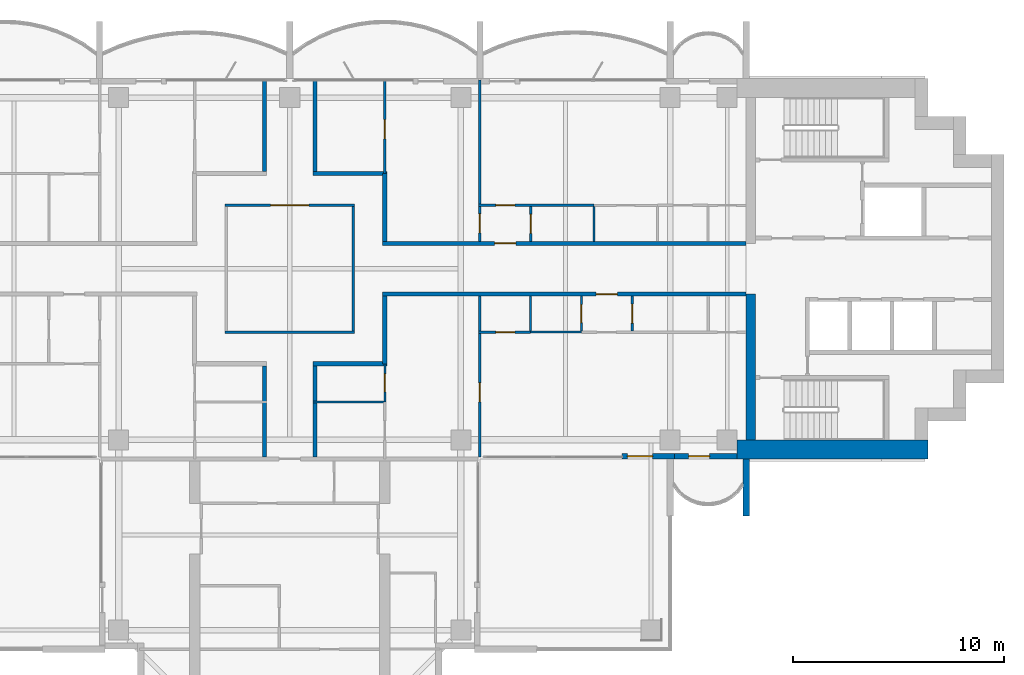
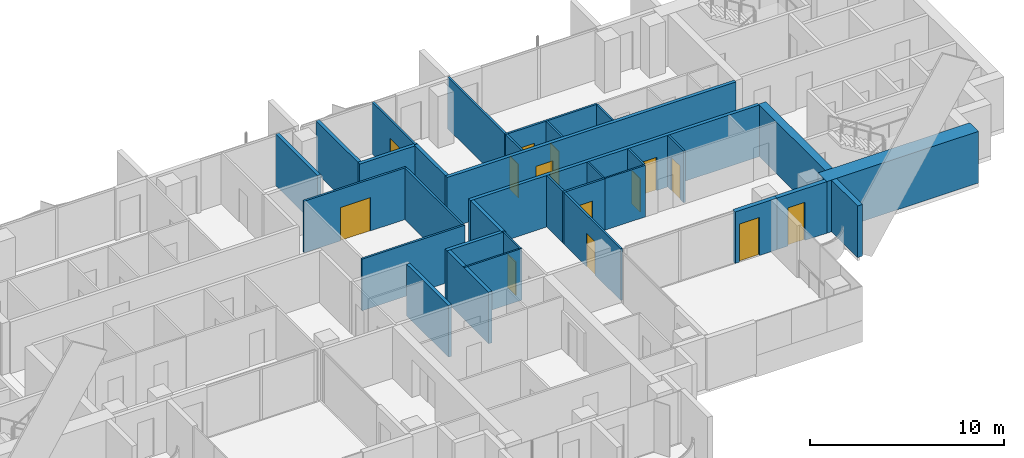
# One storey, part 11 of 17: 31 walls, 14 doors, 14 openings.
"""IFC4 building model written with IfcOpenShell, lengths in metres."""

from ifc_helpers import new_model, si_unit, direction, frame, frame_2d, origin, place, context, subcontext, project, spatial, rectangle, extrude, material, layer, layer_set, type_object, element, fill, save


model = new_model("IFC4")

# Units and contexts
model_context = context("Model", 3, precision=1e-05, world=origin(), true_north=direction((0.0, 1.0)))
body_context = subcontext(model_context, "Body", "Model", "MODEL_VIEW")
ifc_project = project(units=[si_unit("LENGTHUNIT", "METRE"), si_unit("AREAUNIT", "SQUARE_METRE"), si_unit("VOLUMEUNIT", "CUBIC_METRE"), si_unit("PLANEANGLEUNIT", "RADIAN"), si_unit("MASSUNIT", "GRAM", prefix="KILO")], contexts=[model_context])

# Site, building, storey
site_placement = place(None, origin())
site = spatial("IfcSite", under=ifc_project, at=site_placement, CompositionType="ELEMENT")
building_placement = place(site_placement, origin())
building = spatial("IfcBuilding", under=site, at=building_placement, Name="Perihelion Cross Residences", CompositionType="ELEMENT")
storey_placement = place(building_placement, frame((0.0, 0.0, 187.60009765625)))
storey = spatial("IfcBuildingStorey", under=building, at=storey_placement, Name="L46", CompositionType="ELEMENT", Elevation=187.60009765625)

# Wall, opening, door
ifc_material_1 = material(Name="Plasterboard partition")
ifc_layer_1 = layer(ifc_material_1, 0.199951171875)
ifc_layer_set_1 = layer_set([ifc_layer_1], Name="Apartment separation wall 200")
wall_type_1 = type_object("IfcWallType", Name="Apartment separation wall 200", PredefinedType="PARTITIONING", material=ifc_layer_set_1)
wall_1_placement = place(storey_placement, frame((4.39990234375, 1.199951171875, 0.0), z_axis=(0.0, 0.0, 1.0), x_axis=(1.0, 0.0, 0.0)))
wall_1 = element("IfcWall", 1, at=wall_1_placement, inside=storey, type_object=wall_type_1, Name="Partition L46 W005", PredefinedType="PARTITIONING", context=body_context, shape_type="SweptSolid", body=[
    extrude(rectangle(XDim=17.2001953125, YDim=0.199951171875, at=frame_2d((8.60009765625, 0.0))), origin(), (0.0, 0.0, 1.0), 3.25),
])
opening_1_placement = place(wall_1_placement, frame((5.300048828125, 0.0, 0.0)))
opening_1 = element("IfcOpeningElement", 2, at=opening_1_placement, cuts=wall_1, Name="Opening L46.A38", PredefinedType="OPENING", context=body_context, shape_type="SweptSolid", body=[
    extrude(rectangle(XDim=1.0, YDim=2.10009765625, at=frame_2d((0.5, 1.050048828125))), frame((0.0, 0.10986328125, 0.0), z_axis=(0.0, -1.0, 0.0), x_axis=(1.0, 0.0, 0.0)), (0.0, 0.0, 1.0), 0.219970703125),
])
ifc_material_2 = material(Name="Timber door leaf", Category="wood")
door_type_1 = type_object("IfcDoorType", Name="Flat entrance door 1000 x 2100", OperationType="SINGLE_SWING_LEFT", PredefinedType="DOOR", material=ifc_material_2)
door_1_placement = place(opening_1_placement, origin())
door_1 = element("IfcDoor", 3, at=door_1_placement, inside=storey, type_object=door_type_1, Name="Door L46.A38", OperationType="SINGLE_SWING_LEFT", OverallHeight=2.10009765625, OverallWidth=1.0, PredefinedType="DOOR", context=body_context, shape_type="SweptSolid", body=[
    extrude(rectangle(XDim=1.0, YDim=2.10009765625, at=frame_2d((0.5, 1.050048828125))), frame((0.0, 0.02490234375, 0.0), z_axis=(0.0, -1.0, 0.0), x_axis=(1.0, 0.0, 0.0)), (0.0, 0.0, 1.0), 0.050048828125),
])
fill(opening_1, door_1)

# Walls
wall_2_placement = place(storey_placement, frame((4.5, 4.5, 0.0), z_axis=(0.0, 0.0, 1.0), x_axis=(0.0, -1.0, 0.0)))
element("IfcWall", 4, at=wall_2_placement, inside=storey, type_object=wall_type_1, Name="Partition L46 W006", PredefinedType="PARTITIONING", context=body_context, shape_type="SweptSolid", body=[
    extrude(rectangle(XDim=3.199951171875, YDim=0.199951171875, at=frame_2d((1.60009765625, 0.0))), origin(), (0.0, 0.0, 1.0), 3.25),
])
wall_3_placement = place(storey_placement, frame((1.199951171875, 8.919921875, 0.0), z_axis=(0.0, 0.0, 1.0), x_axis=(0.0, -1.0, 0.0)))
element("IfcWall", 5, at=wall_3_placement, inside=storey, type_object=wall_type_1, Name="Partition L46 W007", PredefinedType="PARTITIONING", context=body_context, shape_type="SweptSolid", body=[
    extrude(rectangle(XDim=4.31982421875, YDim=0.199951171875, at=frame_2d((2.159912109375, 0.0))), origin(), (0.0, 0.0, 1.0), 3.25),
])
wall_4_placement = place(storey_placement, frame((1.10009765625, 4.5, 0.0), z_axis=(0.0, 0.0, 1.0), x_axis=(1.0, 0.0, 0.0)))
element("IfcWall", 6, at=wall_4_placement, inside=storey, type_object=wall_type_1, Name="Partition L46 W008", PredefinedType="PARTITIONING", context=body_context, shape_type="SweptSolid", body=[
    extrude(rectangle(XDim=3.5, YDim=0.199951171875, at=frame_2d((1.75, 0.0))), origin(), (0.0, 0.0, 1.0), 3.25),
])

# Wall, opening, door
wall_5_placement = place(storey_placement, frame((21.60009765625, -1.199951171875, 0.0), z_axis=(0.0, 0.0, 1.0), x_axis=(-1.0, 0.0, 0.0)))
wall_5 = element("IfcWall", 7, at=wall_5_placement, inside=storey, type_object=wall_type_1, Name="Partition L46 W009", PredefinedType="PARTITIONING", context=body_context, shape_type="SweptSolid", body=[
    extrude(rectangle(XDim=17.2001953125, YDim=0.199951171875, at=frame_2d((8.60009765625, 0.0))), origin(), (0.0, 0.0, 1.0), 3.25),
])
opening_2_placement = place(wall_5_placement, frame((6.10009765625, 0.0, 0.0)))
opening_2 = element("IfcOpeningElement", 8, at=opening_2_placement, cuts=wall_5, Name="Opening L46.A39", PredefinedType="OPENING", context=body_context, shape_type="SweptSolid", body=[
    extrude(rectangle(XDim=1.0, YDim=2.10009765625, at=frame_2d((0.5, 1.050048828125))), frame((0.0, 0.10986328125, 0.0), z_axis=(0.0, -1.0, 0.0), x_axis=(1.0, 0.0, 0.0)), (0.0, 0.0, 1.0), 0.219970703125),
])
door_2_placement = place(opening_2_placement, origin())
door_2 = element("IfcDoor", 9, at=door_2_placement, inside=storey, type_object=door_type_1, Name="Door L46.A39", OperationType="SINGLE_SWING_LEFT", OverallHeight=2.10009765625, OverallWidth=1.0, PredefinedType="DOOR", context=body_context, shape_type="SweptSolid", body=[
    extrude(rectangle(XDim=1.0, YDim=2.10009765625, at=frame_2d((0.5, 1.050048828125))), frame((0.0, 0.02490234375, 0.0), z_axis=(0.0, -1.0, 0.0), x_axis=(1.0, 0.0, 0.0)), (0.0, 0.0, 1.0), 0.050048828125),
])
fill(opening_2, door_2)

# Walls
wall_6_placement = place(storey_placement, frame((4.5, -1.300048828125, 0.0), z_axis=(0.0, 0.0, 1.0), x_axis=(0.0, -1.0, 0.0)))
element("IfcWall", 10, at=wall_6_placement, inside=storey, type_object=wall_type_1, Name="Partition L46 W010", PredefinedType="PARTITIONING", context=body_context, shape_type="SweptSolid", body=[
    extrude(rectangle(XDim=3.199951171875, YDim=0.199951171875, at=frame_2d((1.60009765625, 0.0))), origin(), (0.0, 0.0, 1.0), 3.25),
])
wall_7_placement = place(storey_placement, frame((4.60009765625, -4.5, 0.0), z_axis=(0.0, 0.0, 1.0), x_axis=(-1.0, 0.0, 0.0)))
element("IfcWall", 11, at=wall_7_placement, inside=storey, type_object=wall_type_1, Name="Partition L46 W011", PredefinedType="PARTITIONING", context=body_context, shape_type="SweptSolid", body=[
    extrude(rectangle(XDim=3.5, YDim=0.199951171875, at=frame_2d((1.75, 0.0))), origin(), (0.0, 0.0, 1.0), 3.25),
])
wall_8_placement = place(storey_placement, frame((1.199951171875, -4.60009765625, 0.0), z_axis=(0.0, 0.0, 1.0), x_axis=(0.0, -1.0, 0.0)))
element("IfcWall", 12, at=wall_8_placement, inside=storey, type_object=wall_type_1, Name="Partition L46 W012", PredefinedType="PARTITIONING", context=body_context, shape_type="SweptSolid", body=[
    extrude(rectangle(XDim=4.2998046875, YDim=0.199951171875, at=frame_2d((2.14990234375, 0.0))), origin(), (0.0, 0.0, 1.0), 3.25),
])
wall_9_placement = place(storey_placement, frame((-1.199951171875, 4.60009765625, 0.0), z_axis=(0.0, 0.0, 1.0), x_axis=(0.0, 1.0, 0.0)))
element("IfcWall", 13, at=wall_9_placement, inside=storey, type_object=wall_type_1, Name="Partition L46 W016", PredefinedType="PARTITIONING", context=body_context, shape_type="SweptSolid", body=[
    extrude(rectangle(XDim=4.31982421875, YDim=0.199951171875, at=frame_2d((2.159912109375, 0.0))), origin(), (0.0, 0.0, 1.0), 3.25),
])
wall_10_placement = place(storey_placement, frame((-1.199951171875, -8.89990234375, 0.0), z_axis=(0.0, 0.0, 1.0), x_axis=(0.0, 1.0, 0.0)))
element("IfcWall", 14, at=wall_10_placement, inside=storey, type_object=wall_type_1, Name="Partition L46 W019", PredefinedType="PARTITIONING", context=body_context, shape_type="SweptSolid", body=[
    extrude(rectangle(XDim=4.2998046875, YDim=0.199951171875, at=frame_2d((2.14990234375, 0.0))), origin(), (0.0, 0.0, 1.0), 3.25),
])

# Wall, opening, door
ifc_material_3 = material(Name="Concrete C30/37, bronze-clad", Category="concrete")
ifc_layer_2 = layer(ifc_material_3, 0.25)
ifc_layer_set_2 = layer_set([ifc_layer_2], Name="Bronze-clad pier wall 250")
wall_type_2 = type_object("IfcWallType", Name="Bronze-clad pier wall 250", PredefinedType="SOLIDWALL", material=ifc_layer_set_2)
wall_11_placement = place(storey_placement, frame((15.72509765625, -8.875, 0.0), z_axis=(0.0, 0.0, 1.0), x_axis=(1.0, 0.0, 0.0)))
wall_11 = element("IfcWall", 15, at=wall_11_placement, inside=storey, type_object=wall_type_2, Name="Wall FW1 L46 east side south bay 1 pier", PredefinedType="SOLIDWALL", context=body_context, shape_type="SweptSolid", body=[
    extrude(rectangle(XDim=2.474853515625, YDim=0.25, at=frame_2d((1.2373046875, 0.0))), origin(), (0.0, 0.0, 1.0), 3.25),
])
opening_3_placement = place(wall_11_placement, frame((0.25, 0.0, 0.0)))
opening_3 = element("IfcOpeningElement", 16, at=opening_3_placement, cuts=wall_11, Name="Opening L46.E13", PredefinedType="OPENING", context=body_context, shape_type="SweptSolid", body=[
    extrude(rectangle(XDim=1.199951171875, YDim=2.39990234375, at=frame_2d((0.60009765625, 1.199951171875))), frame((0.0, 0.135009765625, 0.0), z_axis=(0.0, -1.0, 0.0), x_axis=(1.0, 0.0, 0.0)), (0.0, 0.0, 1.0), 0.27001953125),
])
ifc_material_4 = material(Name="Bronze anodised aluminium, glazed", Category="aluminium")
door_type_2 = type_object("IfcDoorType", Name="Balcony door 1200 x 2400", OperationType="NOTDEFINED", PredefinedType="DOOR", material=ifc_material_4)
door_3_placement = place(opening_3_placement, origin())
door_3 = element("IfcDoor", 17, at=door_3_placement, inside=storey, type_object=door_type_2, Name="Door L46.E13 east side south bay 1", OperationType="SINGLE_SWING_LEFT", OverallHeight=2.39990234375, OverallWidth=1.199951171875, PredefinedType="DOOR", context=body_context, shape_type="SweptSolid", body=[
    extrude(rectangle(XDim=1.199951171875, YDim=2.39990234375, at=frame_2d((0.60009765625, 1.199951171875))), frame((0.0, 0.02490234375, 0.0), z_axis=(0.0, -1.0, 0.0), x_axis=(1.0, 0.0, 0.0)), (0.0, 0.0, 1.0), 0.050048828125),
])
fill(opening_3, door_3)

wall_12_placement = place(storey_placement, frame((18.199951171875, -8.875, 0.0), z_axis=(0.0, 0.0, 1.0), x_axis=(1.0, 0.0, 0.0)))
wall_12 = element("IfcWall", 18, at=wall_12_placement, inside=storey, type_object=wall_type_2, Name="Wall FW1 L46 east side south bay 2 pier", PredefinedType="SOLIDWALL", context=body_context, shape_type="SweptSolid", body=[
    extrude(rectangle(XDim=2.97509765625, YDim=0.25, at=frame_2d((1.487548828125, 0.0))), origin(), (0.0, 0.0, 1.0), 3.25),
])
opening_4_placement = place(wall_12_placement, frame((0.675048828125, 0.0, 0.0)))
opening_4 = element("IfcOpeningElement", 19, at=opening_4_placement, cuts=wall_12, Name="Opening L46.E14", PredefinedType="OPENING", context=body_context, shape_type="SweptSolid", body=[
    extrude(rectangle(XDim=1.0, YDim=2.39990234375, at=frame_2d((0.5, 1.199951171875))), frame((0.0, 0.135009765625, 0.0), z_axis=(0.0, -1.0, 0.0), x_axis=(1.0, 0.0, 0.0)), (0.0, 0.0, 1.0), 0.27001953125),
])
ifc_material_5 = material(Name="Bronze anodised aluminium, glazed", Category="aluminium")
door_type_3 = type_object("IfcDoorType", Name="Balcony door 1000 x 2400", OperationType="NOTDEFINED", PredefinedType="DOOR", material=ifc_material_5)
door_4_placement = place(opening_4_placement, origin())
door_4 = element("IfcDoor", 20, at=door_4_placement, inside=storey, type_object=door_type_3, Name="Door L46.E14 east side south bay 2", OperationType="SINGLE_SWING_RIGHT", OverallHeight=2.39990234375, OverallWidth=1.0, PredefinedType="DOOR", context=body_context, shape_type="SweptSolid", body=[
    extrude(rectangle(XDim=1.0, YDim=2.39990234375, at=frame_2d((0.5, 1.199951171875))), frame((0.0, 0.02490234375, 0.0), z_axis=(0.0, -1.0, 0.0), x_axis=(1.0, 0.0, 0.0)), (0.0, 0.0, 1.0), 0.050048828125),
])
fill(opening_4, door_4)

# Walls
ifc_material_6 = material(Name="Concrete C60/75", Category="concrete")
ifc_layer_3 = layer(ifc_material_6, 0.449951171875)
ifc_layer_set_3 = layer_set([ifc_layer_3], Name="Core wall, inner 450")
wall_type_3 = type_object("IfcWallType", Name="Core wall, inner 450", PredefinedType="SHEAR", material=ifc_layer_set_3)
wall_13_placement = place(storey_placement, frame((21.824951171875, -8.10009765625, 0.0), z_axis=(0.0, 0.0, 1.0), x_axis=(0.0, 1.0, 0.0)))
element("IfcWall", 21, at=wall_13_placement, inside=storey, type_object=wall_type_3, Name="East core core wall, inner", PredefinedType="SHEAR", context=body_context, shape_type="SweptSolid", body=[
    extrude(rectangle(XDim=6.900146484375, YDim=0.449951171875, at=frame_2d((3.4501953125, 0.0))), origin(), (0.0, 0.0, 1.0), 3.25),
])
ifc_material_7 = material(Name="Concrete C60/75", Category="concrete")
ifc_layer_4 = layer(ifc_material_7, 0.89990234375)
ifc_layer_set_4 = layer_set([ifc_layer_4], Name="Core wall, outer 900")
wall_type_4 = type_object("IfcWallType", Name="Core wall, outer 900", PredefinedType="SHEAR", material=ifc_layer_set_4)
wall_14_placement = place(storey_placement, frame((21.175048828125, -8.550048828125, 0.0), z_axis=(0.0, 0.0, 1.0), x_axis=(1.0, 0.0, 0.0)))
element("IfcWall", 22, at=wall_14_placement, inside=storey, type_object=wall_type_4, Name="East core core wall, outer", PredefinedType="SHEAR", context=body_context, shape_type="SweptSolid", body=[
    extrude(rectangle(XDim=9.02490234375, YDim=0.89990234375, at=frame_2d((4.512451171875, 0.0))), origin(), (0.0, 0.0, 1.0), 3.25),
])
ifc_material_8 = material(Name="Plasterboard partition")
ifc_layer_5 = layer(ifc_material_8, 0.1201171875)
ifc_layer_set_5 = layer_set([ifc_layer_5], Name="Partition wall 120")
wall_type_5 = type_object("IfcWallType", Name="Partition wall 120", PredefinedType="PARTITIONING", material=ifc_layer_set_5)
wall_15_placement = place(storey_placement, frame((-3.06005859375, -3.0, 0.0), z_axis=(0.0, 0.0, 1.0), x_axis=(1.0, 0.0, 0.0)))
element("IfcWall", 23, at=wall_15_placement, inside=storey, type_object=wall_type_5, Name="Partition L46 W001", PredefinedType="PARTITIONING", context=body_context, shape_type="SweptSolid", body=[
    extrude(rectangle(XDim=6.1201171875, YDim=0.1201171875, at=frame_2d((3.06005859375, 0.0))), origin(), (0.0, 0.0, 1.0), 3.25),
])
wall_16_placement = place(storey_placement, frame((3.0, -2.93994140625, 0.0), z_axis=(0.0, 0.0, 1.0), x_axis=(0.0, 1.0, 0.0)))
element("IfcWall", 24, at=wall_16_placement, inside=storey, type_object=wall_type_5, Name="Partition L46 W002", PredefinedType="PARTITIONING", context=body_context, shape_type="SweptSolid", body=[
    extrude(rectangle(XDim=5.8798828125, YDim=0.1201171875, at=frame_2d((2.93994140625, 0.0))), origin(), (0.0, 0.0, 1.0), 3.25),
])

# Wall, opening, door
wall_17_placement = place(storey_placement, frame((3.06005859375, 3.0, 0.0), z_axis=(0.0, 0.0, 1.0), x_axis=(-1.0, 0.0, 0.0)))
wall_17 = element("IfcWall", 25, at=wall_17_placement, inside=storey, type_object=wall_type_5, Name="Partition L46 W003", PredefinedType="PARTITIONING", context=body_context, shape_type="SweptSolid", body=[
    extrude(rectangle(XDim=6.1201171875, YDim=0.1201171875, at=frame_2d((3.06005859375, 0.0))), origin(), (0.0, 0.0, 1.0), 3.25),
])
opening_5_placement = place(wall_17_placement, frame((2.159912109375, 0.0, 0.0)))
opening_5 = element("IfcOpeningElement", 26, at=opening_5_placement, cuts=wall_17, Name="Opening L46.A01", PredefinedType="OPENING", context=body_context, shape_type="SweptSolid", body=[
    extrude(rectangle(XDim=1.800048828125, YDim=2.10009765625, at=frame_2d((0.89990234375, 1.050048828125))), frame((0.0, 0.070068359375, 0.0), z_axis=(0.0, -1.0, 0.0), x_axis=(1.0, 0.0, 0.0)), (0.0, 0.0, 1.0), 0.14013671875),
])
ifc_material_9 = material(Name="Glazed timber door leaf", Category="wood")
door_type_4 = type_object("IfcDoorType", Name="Interior double leaf door 1800 x 2100", OperationType="DOUBLE_DOOR_SINGLE_SWING", PredefinedType="DOOR", material=ifc_material_9)
door_5_placement = place(opening_5_placement, origin())
door_5 = element("IfcDoor", 27, at=door_5_placement, inside=storey, type_object=door_type_4, Name="Door L46.A01", OperationType="SINGLE_SWING_LEFT", OverallHeight=2.10009765625, OverallWidth=1.800048828125, PredefinedType="DOOR", context=body_context, shape_type="SweptSolid", body=[
    extrude(rectangle(XDim=1.800048828125, YDim=2.10009765625, at=frame_2d((0.89990234375, 1.050048828125))), frame((0.0, 0.02490234375, 0.0), z_axis=(0.0, -1.0, 0.0), x_axis=(1.0, 0.0, 0.0)), (0.0, 0.0, 1.0), 0.050048828125),
])
fill(opening_5, door_5)

wall_18_placement = place(storey_placement, frame((11.39990234375, 2.93994140625, 0.0), z_axis=(0.0, 0.0, 1.0), x_axis=(0.0, -1.0, 0.0)))
wall_18 = element("IfcWall", 28, at=wall_18_placement, inside=storey, type_object=wall_type_5, Name="Partition L46 W022", PredefinedType="PARTITIONING", context=body_context, shape_type="SweptSolid", body=[
    extrude(rectangle(XDim=1.639892578125, YDim=0.1201171875, at=frame_2d((0.81982421875, 0.0))), origin(), (0.0, 0.0, 1.0), 3.25),
])
opening_6_placement = place(wall_18_placement, frame((0.3701171875, 0.0, 0.0)))
opening_6 = element("IfcOpeningElement", 29, at=opening_6_placement, cuts=wall_18, Name="Opening L46.A04", PredefinedType="OPENING", context=body_context, shape_type="SweptSolid", body=[
    extrude(rectangle(XDim=0.89990234375, YDim=2.10009765625, at=frame_2d((0.449951171875, 1.050048828125))), frame((0.0, 0.070068359375, 0.0), z_axis=(0.0, -1.0, 0.0), x_axis=(1.0, 0.0, 0.0)), (0.0, 0.0, 1.0), 0.14013671875),
])
ifc_material_10 = material(Name="Timber door leaf", Category="wood")
door_type_5 = type_object("IfcDoorType", Name="Interior room door 900 x 2100", OperationType="SINGLE_SWING_LEFT", PredefinedType="DOOR", material=ifc_material_10)
door_6_placement = place(opening_6_placement, origin())
door_6 = element("IfcDoor", 30, at=door_6_placement, inside=storey, type_object=door_type_5, Name="Door L46.A04", OperationType="SINGLE_SWING_RIGHT", OverallHeight=2.10009765625, OverallWidth=0.89990234375, PredefinedType="DOOR", context=body_context, shape_type="SweptSolid", body=[
    extrude(rectangle(XDim=0.89990234375, YDim=2.10009765625, at=frame_2d((0.449951171875, 1.050048828125))), frame((0.0, 0.02490234375, 0.0), z_axis=(0.0, -1.0, 0.0), x_axis=(1.0, 0.0, 0.0)), (0.0, 0.0, 1.0), 0.050048828125),
])
fill(opening_6, door_6)

wall_19_placement = place(storey_placement, frame((8.93994140625, 3.0, 0.0), z_axis=(0.0, 0.0, 1.0), x_axis=(1.0, 0.0, 0.0)))
wall_19 = element("IfcWall", 31, at=wall_19_placement, inside=storey, type_object=wall_type_5, Name="Partition L46 W023", PredefinedType="PARTITIONING", context=body_context, shape_type="SweptSolid", body=[
    extrude(rectangle(XDim=5.4599609375, YDim=0.1201171875, at=frame_2d((2.72998046875, 0.0))), origin(), (0.0, 0.0, 1.0), 3.25),
])
opening_7_placement = place(wall_19_placement, frame((0.81005859375, 0.0, 0.0)))
opening_7 = element("IfcOpeningElement", 32, at=opening_7_placement, cuts=wall_19, Name="Opening L46.A06", PredefinedType="OPENING", context=body_context, shape_type="SweptSolid", body=[
    extrude(rectangle(XDim=0.89990234375, YDim=2.10009765625, at=frame_2d((0.449951171875, 1.050048828125))), frame((0.0, 0.070068359375, 0.0), z_axis=(0.0, -1.0, 0.0), x_axis=(1.0, 0.0, 0.0)), (0.0, 0.0, 1.0), 0.14013671875),
])
door_7_placement = place(opening_7_placement, origin())
door_7 = element("IfcDoor", 33, at=door_7_placement, inside=storey, type_object=door_type_5, Name="Door L46.A06", OperationType="SINGLE_SWING_LEFT", OverallHeight=2.10009765625, OverallWidth=0.89990234375, PredefinedType="DOOR", context=body_context, shape_type="SweptSolid", body=[
    extrude(rectangle(XDim=0.89990234375, YDim=2.10009765625, at=frame_2d((0.449951171875, 1.050048828125))), frame((0.0, 0.02490234375, 0.0), z_axis=(0.0, -1.0, 0.0), x_axis=(1.0, 0.0, 0.0)), (0.0, 0.0, 1.0), 0.050048828125),
])
fill(opening_7, door_7)

wall_20_placement = place(storey_placement, frame((9.0, 1.300048828125, 0.0), z_axis=(0.0, 0.0, 1.0), x_axis=(0.0, 1.0, 0.0)))
wall_20 = element("IfcWall", 34, at=wall_20_placement, inside=storey, type_object=wall_type_5, Name="Partition L46 W024", PredefinedType="PARTITIONING", context=body_context, shape_type="SweptSolid", body=[
    extrude(rectangle(XDim=7.619873046875, YDim=0.1201171875, at=frame_2d((3.81005859375, 0.0))), origin(), (0.0, 0.0, 1.0), 3.25),
])
opening_8_placement = place(wall_20_placement, frame((0.39990234375, 0.0, 0.0)))
opening_8 = element("IfcOpeningElement", 35, at=opening_8_placement, cuts=wall_20, Name="Opening L46.A07", PredefinedType="OPENING", context=body_context, shape_type="SweptSolid", body=[
    extrude(rectangle(XDim=0.89990234375, YDim=2.10009765625, at=frame_2d((0.449951171875, 1.050048828125))), frame((0.0, 0.070068359375, 0.0), z_axis=(0.0, -1.0, 0.0), x_axis=(1.0, 0.0, 0.0)), (0.0, 0.0, 1.0), 0.14013671875),
])
door_8_placement = place(opening_8_placement, origin())
door_8 = element("IfcDoor", 36, at=door_8_placement, inside=storey, type_object=door_type_5, Name="Door L46.A07", OperationType="SINGLE_SWING_LEFT", OverallHeight=2.10009765625, OverallWidth=0.89990234375, PredefinedType="DOOR", context=body_context, shape_type="SweptSolid", body=[
    extrude(rectangle(XDim=0.89990234375, YDim=2.10009765625, at=frame_2d((0.449951171875, 1.050048828125))), frame((0.0, 0.02490234375, 0.0), z_axis=(0.0, -1.0, 0.0), x_axis=(1.0, 0.0, 0.0)), (0.0, 0.0, 1.0), 0.050048828125),
])
fill(opening_8, door_8)

wall_21_placement = place(storey_placement, frame((4.5, 4.5, 0.0), z_axis=(0.0, 0.0, 1.0), x_axis=(0.0, 1.0, 0.0)))
wall_21 = element("IfcWall", 37, at=wall_21_placement, inside=storey, type_object=wall_type_5, Name="Partition L46 W031", PredefinedType="PARTITIONING", context=body_context, shape_type="SweptSolid", body=[
    extrude(rectangle(XDim=4.419921875, YDim=0.1201171875, at=frame_2d((2.2099609375, 0.0))), origin(), (0.0, 0.0, 1.0), 3.25),
])
opening_9_placement = place(wall_21_placement, frame((1.64990234375, 0.0, 0.0)))
opening_9 = element("IfcOpeningElement", 38, at=opening_9_placement, cuts=wall_21, Name="Opening L46.A03", PredefinedType="OPENING", context=body_context, shape_type="SweptSolid", body=[
    extrude(rectangle(XDim=0.89990234375, YDim=2.10009765625, at=frame_2d((0.449951171875, 1.050048828125))), frame((0.0, 0.070068359375, 0.0), z_axis=(0.0, -1.0, 0.0), x_axis=(1.0, 0.0, 0.0)), (0.0, 0.0, 1.0), 0.14013671875),
])
door_9_placement = place(opening_9_placement, origin())
door_9 = element("IfcDoor", 39, at=door_9_placement, inside=storey, type_object=door_type_5, Name="Door L46.A03", OperationType="SINGLE_SWING_LEFT", OverallHeight=2.10009765625, OverallWidth=0.89990234375, PredefinedType="DOOR", context=body_context, shape_type="SweptSolid", body=[
    extrude(rectangle(XDim=0.89990234375, YDim=2.10009765625, at=frame_2d((0.449951171875, 1.050048828125))), frame((0.0, 0.02490234375, 0.0), z_axis=(0.0, -1.0, 0.0), x_axis=(1.0, 0.0, 0.0)), (0.0, 0.0, 1.0), 0.050048828125),
])
fill(opening_9, door_9)

wall_22_placement = place(storey_placement, frame((11.39990234375, -3.0, 0.0), z_axis=(0.0, 0.0, 1.0), x_axis=(-1.0, 0.0, 0.0)))
wall_22 = element("IfcWall", 40, at=wall_22_placement, inside=storey, type_object=wall_type_5, Name="Partition L46 W033", PredefinedType="PARTITIONING", context=body_context, shape_type="SweptSolid", body=[
    extrude(rectangle(XDim=2.4599609375, YDim=0.1201171875, at=frame_2d((1.22998046875, 0.0))), origin(), (0.0, 0.0, 1.0), 3.25),
])
opening_10_placement = place(wall_22_placement, frame((0.75, 0.0, 0.0)))
opening_10 = element("IfcOpeningElement", 41, at=opening_10_placement, cuts=wall_22, Name="Opening L46.A16", PredefinedType="OPENING", context=body_context, shape_type="SweptSolid", body=[
    extrude(rectangle(XDim=0.89990234375, YDim=2.10009765625, at=frame_2d((0.449951171875, 1.050048828125))), frame((0.0, 0.070068359375, 0.0), z_axis=(0.0, -1.0, 0.0), x_axis=(1.0, 0.0, 0.0)), (0.0, 0.0, 1.0), 0.14013671875),
])
door_10_placement = place(opening_10_placement, origin())
door_10 = element("IfcDoor", 42, at=door_10_placement, inside=storey, type_object=door_type_5, Name="Door L46.A16", OperationType="SINGLE_SWING_RIGHT", OverallHeight=2.10009765625, OverallWidth=0.89990234375, PredefinedType="DOOR", context=body_context, shape_type="SweptSolid", body=[
    extrude(rectangle(XDim=0.89990234375, YDim=2.10009765625, at=frame_2d((0.449951171875, 1.050048828125))), frame((0.0, 0.02490234375, 0.0), z_axis=(0.0, -1.0, 0.0), x_axis=(1.0, 0.0, 0.0)), (0.0, 0.0, 1.0), 0.050048828125),
])
fill(opening_10, door_10)

wall_23_placement = place(storey_placement, frame((9.0, -8.919921875, 0.0), z_axis=(0.0, 0.0, 1.0), x_axis=(0.0, 1.0, 0.0)))
wall_23 = element("IfcWall", 43, at=wall_23_placement, inside=storey, type_object=wall_type_5, Name="Partition L46 W034", PredefinedType="PARTITIONING", context=body_context, shape_type="SweptSolid", body=[
    extrude(rectangle(XDim=7.619873046875, YDim=0.1201171875, at=frame_2d((3.81005859375, 0.0))), origin(), (0.0, 0.0, 1.0), 3.25),
])
opening_11_placement = place(wall_23_placement, frame((2.6201171875, 0.0, 0.0)))
opening_11 = element("IfcOpeningElement", 44, at=opening_11_placement, cuts=wall_23, Name="Opening L46.A12", PredefinedType="OPENING", context=body_context, shape_type="SweptSolid", body=[
    extrude(rectangle(XDim=0.89990234375, YDim=2.10009765625, at=frame_2d((0.449951171875, 1.050048828125))), frame((0.0, 0.070068359375, 0.0), z_axis=(0.0, -1.0, 0.0), x_axis=(1.0, 0.0, 0.0)), (0.0, 0.0, 1.0), 0.14013671875),
])
door_11_placement = place(opening_11_placement, origin())
door_11 = element("IfcDoor", 45, at=door_11_placement, inside=storey, type_object=door_type_5, Name="Door L46.A12", OperationType="SINGLE_SWING_RIGHT", OverallHeight=2.10009765625, OverallWidth=0.89990234375, PredefinedType="DOOR", context=body_context, shape_type="SweptSolid", body=[
    extrude(rectangle(XDim=0.89990234375, YDim=2.10009765625, at=frame_2d((0.449951171875, 1.050048828125))), frame((0.0, 0.02490234375, 0.0), z_axis=(0.0, -1.0, 0.0), x_axis=(1.0, 0.0, 0.0)), (0.0, 0.0, 1.0), 0.050048828125),
])
fill(opening_11, door_11)

wall_24_placement = place(storey_placement, frame((16.199951171875, -1.300048828125, 0.0), z_axis=(0.0, 0.0, 1.0), x_axis=(0.0, -1.0, 0.0)))
wall_24 = element("IfcWall", 46, at=wall_24_placement, inside=storey, type_object=wall_type_5, Name="Partition L46 W037", PredefinedType="PARTITIONING", context=body_context, shape_type="SweptSolid", body=[
    extrude(rectangle(XDim=1.639892578125, YDim=0.1201171875, at=frame_2d((0.81982421875, 0.0))), origin(), (0.0, 0.0, 1.0), 3.25),
])
opening_12_placement = place(wall_24_placement, frame((0.3701171875, 0.0, 0.0)))
opening_12 = element("IfcOpeningElement", 47, at=opening_12_placement, cuts=wall_24, Name="Opening L46.A10", PredefinedType="OPENING", context=body_context, shape_type="SweptSolid", body=[
    extrude(rectangle(XDim=0.89990234375, YDim=2.10009765625, at=frame_2d((0.449951171875, 1.050048828125))), frame((0.0, 0.070068359375, 0.0), z_axis=(0.0, -1.0, 0.0), x_axis=(1.0, 0.0, 0.0)), (0.0, 0.0, 1.0), 0.14013671875),
])
door_12_placement = place(opening_12_placement, origin())
door_12 = element("IfcDoor", 48, at=door_12_placement, inside=storey, type_object=door_type_5, Name="Door L46.A10", OperationType="SINGLE_SWING_LEFT", OverallHeight=2.10009765625, OverallWidth=0.89990234375, PredefinedType="DOOR", context=body_context, shape_type="SweptSolid", body=[
    extrude(rectangle(XDim=0.89990234375, YDim=2.10009765625, at=frame_2d((0.449951171875, 1.050048828125))), frame((0.0, 0.02490234375, 0.0), z_axis=(0.0, -1.0, 0.0), x_axis=(1.0, 0.0, 0.0)), (0.0, 0.0, 1.0), 0.050048828125),
])
fill(opening_12, door_12)

# Walls
ifc_material_11 = material(Name="Precast concrete C50/60", Category="concrete")
ifc_layer_6 = layer(ifc_material_11, 0.300048828125)
ifc_layer_set_6 = layer_set([ifc_layer_6], Name="Precast concrete C50/60 blade wall 300")
wall_type_6 = type_object("IfcWallType", Name="Precast concrete C50/60 blade wall 300", PredefinedType="SOLIDWALL", material=ifc_layer_set_6)
wall_25_placement = place(storey_placement, frame((21.60009765625, -9.0, 0.0), z_axis=(0.0, 0.0, 1.0), x_axis=(0.0, -1.0, 0.0)))
element("IfcWall", 49, at=wall_25_placement, inside=storey, type_object=wall_type_6, Name="Wall BL1 L46 no. 12", PredefinedType="SOLIDWALL", context=body_context, shape_type="SweptSolid", body=[
    extrude(rectangle(XDim=2.699951171875, YDim=0.300048828125, at=frame_2d((1.35009765625, 0.0))), origin(), (0.0, 0.0, 1.0), 3.25),
])
ifc_material_12 = material(Name="Plasterboard partition")
ifc_layer_7 = layer(ifc_material_12, 0.10009765625)
ifc_layer_set_7 = layer_set([ifc_layer_7], Name="Wet room wall 100")
wall_type_7 = type_object("IfcWallType", Name="Wet room wall 100", PredefinedType="PARTITIONING", material=ifc_layer_set_7)
for number, where, z_axis, x_axis, name in (
    (50, (14.39990234375, 2.93994140625, 0.0), (0.0, 0.0, 1.0), (0.0, -1.0, 0.0), "Partition L46 W025"),
    (51, (11.39990234375, -1.300048828125, 0.0), (0.0, 0.0, 1.0), (0.0, -1.0, 0.0), "Partition L46 W032"),
):
    element("IfcWall", number, at=place(storey_placement, frame(where, z_axis=z_axis, x_axis=x_axis)), inside=storey, type_object=wall_type_7, Name=name, PredefinedType="PARTITIONING", context=body_context, shape_type="SweptSolid", body=[
        extrude(rectangle(XDim=1.639892578125, YDim=0.10009765625, at=frame_2d((0.81982421875, 0.0))), origin(), (0.0, 0.0, 1.0), 3.25),
    ])

# Wall, opening, door
wall_26_placement = place(storey_placement, frame((13.800048828125, -1.300048828125, 0.0), z_axis=(0.0, 0.0, 1.0), x_axis=(0.0, -1.0, 0.0)))
wall_26 = element("IfcWall", 52, at=wall_26_placement, inside=storey, type_object=wall_type_7, Name="Partition L46 W035", PredefinedType="PARTITIONING", context=body_context, shape_type="SweptSolid", body=[
    extrude(rectangle(XDim=1.639892578125, YDim=0.10009765625, at=frame_2d((0.81982421875, 0.0))), origin(), (0.0, 0.0, 1.0), 3.25),
])
opening_13_placement = place(wall_26_placement, frame((0.39501953125, 0.0, 0.0)))
opening_13 = element("IfcOpeningElement", 53, at=opening_13_placement, cuts=wall_26, Name="Opening L46.A09", PredefinedType="OPENING", context=body_context, shape_type="SweptSolid", body=[
    extrude(rectangle(XDim=0.85009765625, YDim=2.10009765625, at=frame_2d((0.425048828125, 1.050048828125))), frame((0.0, 0.06005859375, 0.0), z_axis=(0.0, -1.0, 0.0), x_axis=(1.0, 0.0, 0.0)), (0.0, 0.0, 1.0), 0.1201171875),
])
ifc_material_13 = material(Name="Timber door leaf", Category="wood")
door_type_6 = type_object("IfcDoorType", Name="Interior bathroom door 850 x 2100", OperationType="SINGLE_SWING_LEFT", PredefinedType="DOOR", material=ifc_material_13)
door_13_placement = place(opening_13_placement, origin())
door_13 = element("IfcDoor", 54, at=door_13_placement, inside=storey, type_object=door_type_6, Name="Door L46.A09", OperationType="SINGLE_SWING_RIGHT", OverallHeight=2.10009765625, OverallWidth=0.85009765625, PredefinedType="DOOR", context=body_context, shape_type="SweptSolid", body=[
    extrude(rectangle(XDim=0.85009765625, YDim=2.10009765625, at=frame_2d((0.425048828125, 1.050048828125))), frame((0.0, 0.02490234375, 0.0), z_axis=(0.0, -1.0, 0.0), x_axis=(1.0, 0.0, 0.0)), (0.0, 0.0, 1.0), 0.050048828125),
])
fill(opening_13, door_13)

# Wall
wall_27_placement = place(storey_placement, frame((13.800048828125, -3.0, 0.0), z_axis=(0.0, 0.0, 1.0), x_axis=(-1.0, 0.0, 0.0)))
element("IfcWall", 55, at=wall_27_placement, inside=storey, type_object=wall_type_7, Name="Partition L46 W036", PredefinedType="PARTITIONING", context=body_context, shape_type="SweptSolid", body=[
    extrude(rectangle(XDim=2.400146484375, YDim=0.10009765625, at=frame_2d((1.2001953125, 0.0))), origin(), (0.0, 0.0, 1.0), 3.25),
])

# Wall, opening, door
wall_28_placement = place(storey_placement, frame((4.5, -6.300048828125, 0.0), z_axis=(0.0, 0.0, 1.0), x_axis=(0.0, 1.0, 0.0)))
wall_28 = element("IfcWall", 56, at=wall_28_placement, inside=storey, type_object=wall_type_7, Name="Partition L46 W040", PredefinedType="PARTITIONING", context=body_context, shape_type="SweptSolid", body=[
    extrude(rectangle(XDim=1.800048828125, YDim=0.10009765625, at=frame_2d((0.89990234375, 0.0))), origin(), (0.0, 0.0, 1.0), 3.25),
])
opening_14_placement = place(wall_28_placement, frame((0.47509765625, 0.0, 0.0)))
opening_14 = element("IfcOpeningElement", 57, at=opening_14_placement, cuts=wall_28, Name="Opening L46.A14", PredefinedType="OPENING", context=body_context, shape_type="SweptSolid", body=[
    extrude(rectangle(XDim=0.85009765625, YDim=2.10009765625, at=frame_2d((0.425048828125, 1.050048828125))), frame((0.0, 0.06005859375, 0.0), z_axis=(0.0, -1.0, 0.0), x_axis=(1.0, 0.0, 0.0)), (0.0, 0.0, 1.0), 0.1201171875),
])
door_14_placement = place(opening_14_placement, origin())
door_14 = element("IfcDoor", 58, at=door_14_placement, inside=storey, type_object=door_type_6, Name="Door L46.A14", OperationType="SINGLE_SWING_LEFT", OverallHeight=2.10009765625, OverallWidth=0.85009765625, PredefinedType="DOOR", context=body_context, shape_type="SweptSolid", body=[
    extrude(rectangle(XDim=0.85009765625, YDim=2.10009765625, at=frame_2d((0.425048828125, 1.050048828125))), frame((0.0, 0.02490234375, 0.0), z_axis=(0.0, -1.0, 0.0), x_axis=(1.0, 0.0, 0.0)), (0.0, 0.0, 1.0), 0.050048828125),
])
fill(opening_14, door_14)

# Wall
wall_29_placement = place(storey_placement, frame((4.56005859375, -6.300048828125, 0.0), z_axis=(0.0, 0.0, 1.0), x_axis=(-1.0, 0.0, 0.0)))
element("IfcWall", 59, at=wall_29_placement, inside=storey, type_object=wall_type_7, Name="Partition L46 W042", PredefinedType="PARTITIONING", context=body_context, shape_type="SweptSolid", body=[
    extrude(rectangle(XDim=3.4599609375, YDim=0.10009765625, at=frame_2d((1.72998046875, 0.0))), origin(), (0.0, 0.0, 1.0), 3.25),
])

save(model, "model.ifc")
